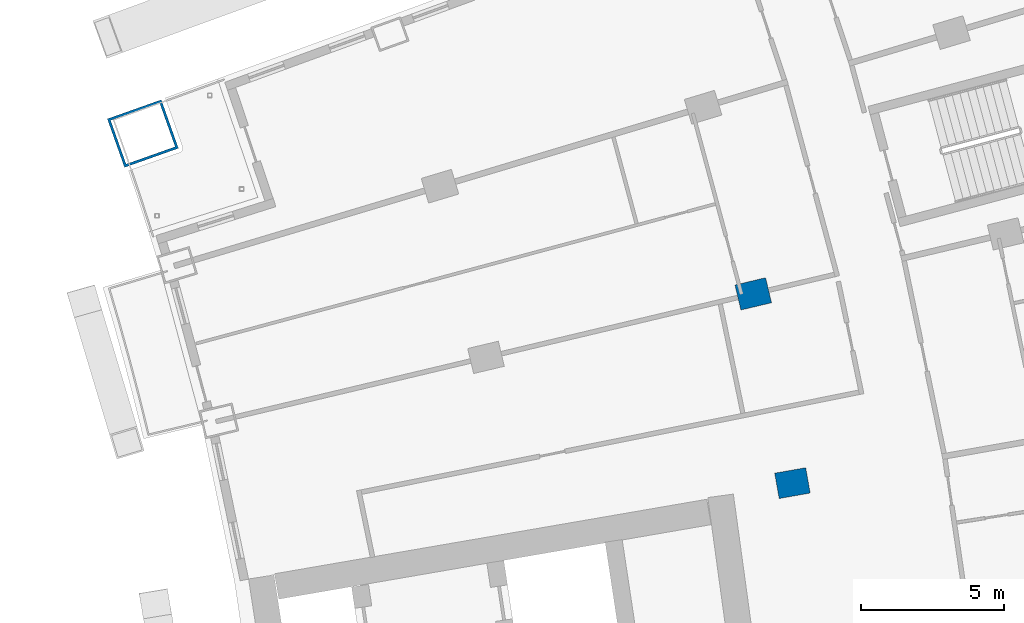
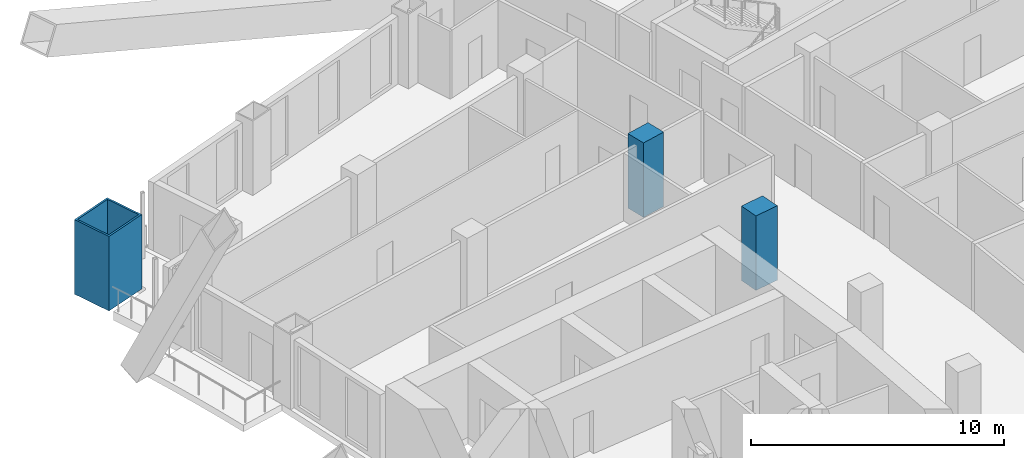
# One storey, part 8 of 25: 3 columns.
"""IFC4 building model written with IfcOpenShell, lengths in metres."""

from ifc_helpers import new_model, si_unit, direction, frame, origin, origin_2d, place, context, subcontext, project, spatial, rectangle, hollow_rectangle, extrude, material, material_profile, profile_set, type_object, element, save


model = new_model("IFC4")

# Units and contexts
model_context = context("Model", 3, precision=1e-05, world=origin(), true_north=direction((0.0, 1.0)))
body_context = subcontext(model_context, "Body", "Model", "MODEL_VIEW")
ifc_project = project(units=[si_unit("LENGTHUNIT", "METRE"), si_unit("AREAUNIT", "SQUARE_METRE"), si_unit("VOLUMEUNIT", "CUBIC_METRE"), si_unit("PLANEANGLEUNIT", "RADIAN"), si_unit("MASSUNIT", "GRAM", prefix="KILO")], contexts=[model_context])

# Site, building, storey
site_placement = place(None, origin())
site = spatial("IfcSite", under=ifc_project, at=site_placement, CompositionType="ELEMENT")
building_placement = place(site_placement, origin())
building = spatial("IfcBuilding", under=site, at=building_placement, Name="Alderwake Tower", CompositionType="ELEMENT")
storey_placement = place(building_placement, frame((0.0, 0.0, 42.800048828125)))
storey = spatial("IfcBuildingStorey", under=building, at=storey_placement, Name="L09", CompositionType="ELEMENT", Elevation=42.800048828125)

# Columns
ifc_material_1 = material(Name="Concrete C70/85", Category="concrete")
ifc_material_profile_1 = material_profile(ifc_material_1, rectangle(XDim=0.89990234375, YDim=1.10009765625, at=origin_2d()), Name="RC 1100X900")
ifc_profile_set_1 = profile_set([ifc_material_profile_1], Name="Concrete C70/85")
column_type_1 = type_object("IfcColumnType", Name="Interior column Z1", PredefinedType="COLUMN", material=ifc_profile_set_1)
for number, where, z_axis, x_axis, name in (
    (1, (34.03125, 81.16162109375, 0.0), (0.0, 0.0, 1.0), (-0.174108800747, 0.984726421654, 0.0), "Column R10-C2"),
    (2, (32.661865234375, 87.775390625, 0.0), (0.0, 0.0, 1.0), (-0.231221547198, 0.972901123502, 0.0), "Column R11-C2"),
):
    element("IfcColumn", number, at=place(storey_placement, frame(where, z_axis=z_axis, x_axis=x_axis)), inside=storey, type_object=column_type_1, Name=name, PredefinedType="COLUMN", context=body_context, shape_type="SweptSolid", body=[
        extrude(rectangle(XDim=0.89990234375, YDim=1.10009765625, at=origin_2d()), origin(), (0.0, 0.0, 1.0), 3.599853515625),
    ])
ifc_material_2 = material(Name="Steel ASTM A572 Grade 50 concrete filled C70/85", Category="concrete")
ifc_material_profile_2 = material_profile(ifc_material_2, hollow_rectangle(XDim=1.800048828125, YDim=2.0, WallThickness=0.090087890625, at=origin_2d()), Name="BOX 2000X1800X90")
ifc_profile_set_2 = profile_set([ifc_material_profile_2], Name="Steel ASTM A572 Grade 50 concrete filled C70/85")
column_type_2 = type_object("IfcColumnType", Name="Mega column Z1", PredefinedType="COLUMN", material=ifc_profile_set_2)
column_placement = place(storey_placement, frame((11.330810546875, 93.377197265625, 0.0), z_axis=(0.0, 0.0, 1.0), x_axis=(-0.334130947791, 0.942526662609, 0.0)))
element("IfcColumn", 3, at=column_placement, inside=storey, type_object=column_type_2, Name="Column R13-C0", PredefinedType="COLUMN", context=body_context, shape_type="SweptSolid", body=[
    extrude(hollow_rectangle(XDim=1.800048828125, YDim=2.0, WallThickness=0.090087890625, at=origin_2d()), origin(), (0.0, 0.0, 1.0), 3.599853515625),
])

save(model, "model.ifc")
